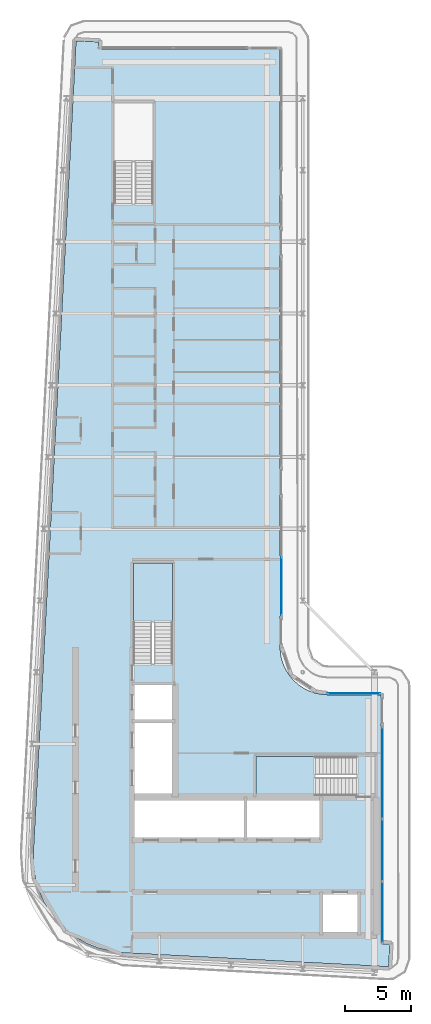
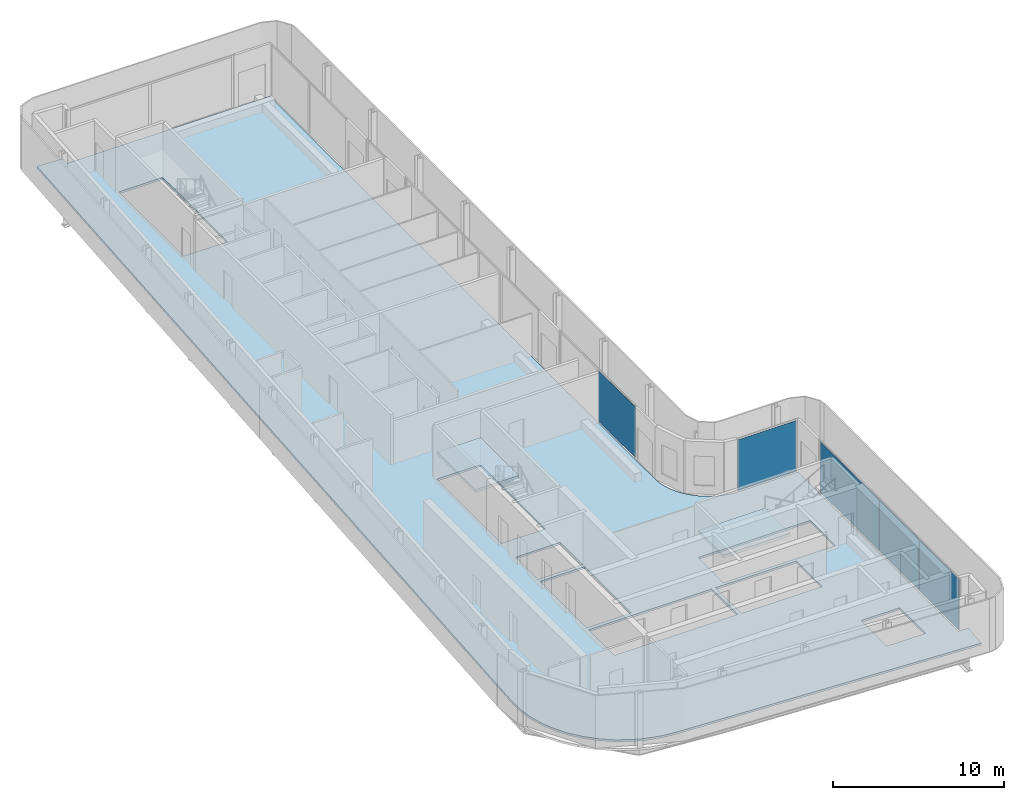
# One storey, part 7 of 19: 5 plates, 3 slabs, 6 elements without a shape of their own.
"""IFC4 building model written with IfcOpenShell, lengths in metres."""

from ifc_helpers import new_model, si_unit, direction, frame, origin, origin_2d, place, context, subcontext, project, spatial, polyline, rectangle, outline, extrude, material, layer, layer_set, type_object, element, aggregate, save


model = new_model("IFC4")

# Units and contexts
model_context = context("Model", 3, precision=1e-05, world=origin(), true_north=direction((0.0, 1.0)))
body_context = subcontext(model_context, "Body", "Model", "MODEL_VIEW")
ifc_project = project(units=[si_unit("LENGTHUNIT", "METRE"), si_unit("AREAUNIT", "SQUARE_METRE"), si_unit("VOLUMEUNIT", "CUBIC_METRE"), si_unit("PLANEANGLEUNIT", "RADIAN"), si_unit("MASSUNIT", "GRAM", prefix="KILO")], contexts=[model_context])

# Site, building, storey
site_placement = place(None, origin())
site = spatial("IfcSite", under=ifc_project, at=site_placement, CompositionType="ELEMENT")
building_placement = place(site_placement, origin())
building = spatial("IfcBuilding", under=site, at=building_placement, Name="Kheshtan School and Residences Tower", CompositionType="ELEMENT")
storey_placement = place(building_placement, frame((0.0, 0.0, 357.800048828125)))
storey = spatial("IfcBuildingStorey", under=building, at=storey_placement, Name="L84", CompositionType="ELEMENT", Elevation=357.800048828125)

# Curtain wall, plate
ifc_material_1 = material(Name="Clear low-e glass in thermally broken aluminium frame", Category="aluminium")
ifc_layer_1 = layer(ifc_material_1, 0.199951171875)
ifc_layer_set_1 = layer_set([ifc_layer_1], Name="Curtain wall CW-B")
curtain_wall_type_1 = type_object("IfcCurtainWallType", Name="Curtain wall CW-B", PredefinedType="NOTDEFINED", material=ifc_layer_set_1)
curtain_wall_1_placement = place(storey_placement, origin())
curtain_wall_1 = element("IfcCurtainWall", 1, at=curtain_wall_1_placement, inside=storey, type_object=curtain_wall_type_1, Name="Curtain wall CWB8", PredefinedType="NOTDEFINED")
ifc_layer_2 = layer(ifc_material_1, 0.031982421875)
ifc_layer_set_2 = layer_set([ifc_layer_2], Name="CW-B glass panel")
plate_type_1 = type_object("IfcPlateType", Name="CW-B glass panel", PredefinedType="CURTAIN_PANEL", material=ifc_layer_set_2)
plate_1_placement = place(storey_placement, frame((51.465087890625, 44.0, 0.0), z_axis=(0.0, 0.0, 1.0), x_axis=(1.0, 0.0, 0.0)))
plate_1 = element("IfcPlate", 2, at=plate_1_placement, type_object=plate_type_1, Name="CWB8 panel 1.1", PredefinedType="CURTAIN_PANEL", context=body_context, shape_type="SweptSolid", body=[
    extrude(rectangle(XDim=3.949951171875, YDim=0.031982421875, at=origin_2d()), origin(), (0.0, 0.0, 1.0), 3.6298828125),
])
aggregate(curtain_wall_1, [plate_1])

ifc_layer_3 = layer(ifc_material_1, 0.199951171875)
ifc_layer_set_3 = layer_set([ifc_layer_3], Name="Curtain wall CW-L")
curtain_wall_type_2 = type_object("IfcCurtainWallType", Name="Curtain wall CW-L", PredefinedType="NOTDEFINED", material=ifc_layer_set_3)
curtain_wall_2_placement = place(storey_placement, origin())
curtain_wall_2 = element("IfcCurtainWall", 3, at=curtain_wall_2_placement, inside=storey, type_object=curtain_wall_type_2, Name="Curtain wall CWL4b", PredefinedType="NOTDEFINED")
ifc_layer_4 = layer(ifc_material_1, 0.031982421875)
ifc_layer_set_4 = layer_set([ifc_layer_4], Name="CW-L glass panel")
plate_type_2 = type_object("IfcPlateType", Name="CW-L glass panel", PredefinedType="CURTAIN_PANEL", material=ifc_layer_set_4)
plate_2_placement = place(storey_placement, frame((46.0, 52.061767578125, 0.0), z_axis=(0.0, 0.0, 1.0), x_axis=(0.0, -1.0, 0.0)))
plate_2 = element("IfcPlate", 4, at=plate_2_placement, type_object=plate_type_2, Name="CWL4b panel 2.1", PredefinedType="CURTAIN_PANEL", context=body_context, shape_type="SweptSolid", body=[
    extrude(rectangle(XDim=4.34375, YDim=0.031982421875, at=origin_2d()), origin(), (0.0, 0.0, 1.0), 3.6298828125),
])
aggregate(curtain_wall_2, [plate_2])

curtain_wall_3_placement = place(storey_placement, origin())
curtain_wall_3 = element("IfcCurtainWall", 5, at=curtain_wall_3_placement, inside=storey, type_object=curtain_wall_type_2, Name="Curtain wall CWL9e", PredefinedType="NOTDEFINED")
plate_3_placement = place(storey_placement, frame((53.60009765625, 38.013916015625, 0.0), z_axis=(0.0, 0.0, 1.0), x_axis=(0.0, -1.0, 0.0)))
plate_3 = element("IfcPlate", 6, at=plate_3_placement, type_object=plate_type_2, Name="CWL9e panel 1.1", PredefinedType="CURTAIN_PANEL", context=body_context, shape_type="SweptSolid", body=[
    extrude(rectangle(XDim=6.85205078125, YDim=0.031982421875, at=origin_2d()), origin(), (0.0, 0.0, 1.0), 3.6298828125),
])
aggregate(curtain_wall_3, [plate_3])

# Curtain wall, plates
curtain_wall_4_placement = place(storey_placement, origin())
curtain_wall_4 = element("IfcCurtainWall", 7, at=curtain_wall_4_placement, inside=storey, type_object=curtain_wall_type_2, Name="Curtain wall CWL9d", PredefinedType="NOTDEFINED")
plate_4_placement = place(storey_placement, frame((53.60009765625, 32.199951171875, 0.0), z_axis=(0.0, 0.0, 1.0), x_axis=(0.0, -1.0, 0.0)))
plate_4 = element("IfcPlate", 8, at=plate_4_placement, type_object=plate_type_2, Name="CWL9d panel 1.1", PredefinedType="CURTAIN_PANEL", context=body_context, shape_type="SweptSolid", body=[
    extrude(rectangle(XDim=4.656005859375, YDim=0.031982421875, at=origin_2d()), origin(), (0.0, 0.0, 1.0), 3.6298828125),
])
plate_5_placement = place(storey_placement, frame((53.60009765625, 27.513916015625, 0.0), z_axis=(0.0, 0.0, 1.0), x_axis=(0.0, -1.0, 0.0)))
plate_5 = element("IfcPlate", 9, at=plate_5_placement, type_object=plate_type_2, Name="CWL9d panel 2.1", PredefinedType="CURTAIN_PANEL", context=body_context, shape_type="SweptSolid", body=[
    extrude(rectangle(XDim=4.595947265625, YDim=0.031982421875, at=origin_2d()), origin(), (0.0, 0.0, 1.0), 3.6298828125),
])
aggregate(curtain_wall_4, [plate_4, plate_5])

# Slab
ifc_material_2 = material(Name="Concrete C40/50", Category="concrete")
ifc_layer_5 = layer(ifc_material_2, 0.14990234375)
ifc_layer_set_5 = layer_set([ifc_layer_5], Name="Floor slab 150 Concrete C40/50")
slab_type_1 = type_object("IfcSlabType", Name="Floor slab 150 Concrete C40/50", PredefinedType="FLOOR", material=ifc_layer_set_5)
slab_1_placement = place(storey_placement, frame((0.0, 0.0, -0.150146484375)))
element("IfcSlab", 10, at=slab_1_placement, inside=storey, type_object=slab_type_1, Name="Floor slab L84", PredefinedType="FLOOR", context=body_context, shape_type="SweptSolid", body=[
    extrude(outline(polyline([(28.55908203125, 27.550048828125), (28.0849609375, 28.345947265625), (27.718017578125, 29.200927734375), (27.466064453125, 30.093017578125), (27.466064453125, 30.093994140625), (27.3330078125, 31.013916015625), (27.320068359375, 31.965087890625), (27.320068359375, 31.970947265625), (30.5380859375, 93.10107421875), (30.5390625, 93.10791015625), (30.5419921875, 93.131103515625), (30.5419921875, 93.132080078125), (30.54296875, 93.132080078125), (31.137939453125, 93.10009765625), (31.138916015625, 93.10009765625), (31.138916015625, 93.09912109375), (31.138916015625, 93.094970703125), (31.138916015625, 93.093994140625), (31.139892578125, 93.093994140625), (31.139892578125, 93.093017578125), (31.14111328125, 93.093017578125), (31.14208984375, 93.093017578125), (31.14208984375, 93.093994140625), (31.14404296875, 93.095947265625), (31.14501953125, 93.096923828125), (31.14599609375, 93.097900390625), (31.14697265625, 93.097900390625), (31.14697265625, 93.09912109375), (31.14794921875, 93.09912109375), (31.14794921875, 93.10009765625), (31.14892578125, 93.10009765625), (31.152099609375, 93.10205078125), (31.155029296875, 93.10205078125), (31.156005859375, 93.10205078125), (31.156005859375, 93.10302734375), (31.156982421875, 93.10302734375), (31.162109375, 93.10302734375), (32.217041015625, 93.047119140625), (32.219970703125, 93.047119140625), (32.220947265625, 93.047119140625), (32.220947265625, 93.0458984375), (32.221923828125, 93.0458984375), (32.22607421875, 93.0458984375), (32.22607421875, 93.044921875), (32.22705078125, 93.044921875), (32.22705078125, 93.0439453125), (32.22802734375, 93.0439453125), (32.22802734375, 93.04296875), (32.22900390625, 93.04296875), (32.22998046875, 93.04296875), (32.22998046875, 93.0419921875), (32.23095703125, 93.0419921875), (32.23193359375, 93.0419921875), (32.23193359375, 93.041015625), (32.23388671875, 93.0390625), (32.235107421875, 93.0390625), (32.235107421875, 93.0380859375), (32.235107421875, 93.037109375), (32.236083984375, 93.037109375), (32.236083984375, 93.035888671875), (32.237060546875, 93.035888671875), (32.237060546875, 93.033935546875), (32.237060546875, 93.032958984375), (32.238037109375, 93.032958984375), (32.238037109375, 93.031982421875), (32.239013671875, 93.031982421875), (32.239013671875, 93.031005859375), (32.239013671875, 93.029052734375), (32.239013671875, 93.028076171875), (32.239990234375, 93.028076171875), (32.239990234375, 93.027099609375), (32.239990234375, 93.02197265625), (32.212890625, 92.52099609375), (32.212890625, 92.51806640625), (32.212890625, 92.51708984375), (32.2119140625, 92.51708984375), (32.2119140625, 92.51611328125), (32.2119140625, 92.511962890625), (32.2109375, 92.510009765625), (32.2099609375, 92.510009765625), (32.2099609375, 92.509033203125), (32.208984375, 92.509033203125), (32.208984375, 92.508056640625), (32.2080078125, 92.507080078125), (32.2060546875, 92.5048828125), (32.205078125, 92.50390625), (32.2041015625, 92.50390625), (32.2041015625, 92.5029296875), (32.2041015625, 92.501953125), (32.2041015625, 92.5009765625), (32.205078125, 92.5009765625), (32.205078125, 92.5), (32.2060546875, 92.5), (45.85498046875, 92.5), (45.860107421875, 92.4990234375), (45.864990234375, 92.498046875), (45.865966796875, 92.498046875), (45.868896484375, 92.49609375), (45.8740234375, 92.493896484375), (45.8779296875, 92.491943359375), (45.881103515625, 92.489990234375), (45.881103515625, 92.489013671875), (45.882080078125, 92.489013671875), (45.882080078125, 92.488037109375), (45.883056640625, 92.488037109375), (45.884033203125, 92.485107421875), (45.885009765625, 92.485107421875), (45.885009765625, 92.48388671875), (45.887939453125, 92.48291015625), (45.887939453125, 92.48193359375), (45.888916015625, 92.48193359375), (45.888916015625, 92.48095703125), (45.889892578125, 92.48095703125), (45.89208984375, 92.47802734375), (45.89404296875, 92.47412109375), (45.89599609375, 92.468994140625), (45.89794921875, 92.466064453125), (45.89794921875, 92.465087890625), (45.89892578125, 92.4599609375), (45.89990234375, 92.455078125), (45.89990234375, 47.429931640625), (45.927001953125, 47.030029296875), (46.01806640625, 46.570068359375), (46.01806640625, 46.569091796875), (46.169921875, 46.1201171875), (46.37890625, 45.697021484375), (46.638916015625, 45.30810546875), (46.949951171875, 44.950927734375), (46.950927734375, 44.949951171875), (47.30810546875, 44.638916015625), (47.697021484375, 44.37890625), (48.1201171875, 44.169921875), (48.569091796875, 44.01806640625), (48.570068359375, 44.01806640625), (49.030029296875, 43.927001953125), (49.429931640625, 43.89990234375), (53.455078125, 43.89990234375), (53.465087890625, 43.89794921875), (53.466064453125, 43.89794921875), (53.468994140625, 43.89599609375), (53.47412109375, 43.89404296875), (53.47802734375, 43.89208984375), (53.48095703125, 43.889892578125), (53.48095703125, 43.888916015625), (53.48193359375, 43.888916015625), (53.48193359375, 43.887939453125), (53.48291015625, 43.887939453125), (53.48388671875, 43.885009765625), (53.485107421875, 43.885009765625), (53.485107421875, 43.884033203125), (53.488037109375, 43.883056640625), (53.488037109375, 43.882080078125), (53.489013671875, 43.882080078125), (53.489013671875, 43.881103515625), (53.489990234375, 43.881103515625), (53.491943359375, 43.8779296875), (53.493896484375, 43.8740234375), (53.49609375, 43.868896484375), (53.498046875, 43.865966796875), (53.498046875, 43.864990234375), (53.4990234375, 43.860107421875), (53.5, 43.85498046875), (53.5, 25.15087890625), (53.5, 25.14990234375), (53.5009765625, 25.14990234375), (53.5009765625, 25.14892578125), (53.501953125, 25.14892578125), (53.5029296875, 25.14892578125), (53.5029296875, 25.14990234375), (53.506103515625, 25.153076171875), (53.507080078125, 25.154052734375), (53.508056640625, 25.154052734375), (53.508056640625, 25.155029296875), (53.509033203125, 25.155029296875), (53.509033203125, 25.156005859375), (53.512939453125, 25.157958984375), (53.51611328125, 25.157958984375), (53.51708984375, 25.157958984375), (53.51708984375, 25.158935546875), (53.51806640625, 25.158935546875), (53.52294921875, 25.158935546875), (54.137939453125, 25.1259765625), (54.14111328125, 25.1259765625), (54.14208984375, 25.1259765625), (54.14208984375, 25.125), (54.14306640625, 25.125), (54.14697265625, 25.125), (54.14697265625, 25.1240234375), (54.14794921875, 25.1240234375), (54.14794921875, 25.123046875), (54.14892578125, 25.123046875), (54.14892578125, 25.1220703125), (54.14990234375, 25.1220703125), (54.15087890625, 25.1220703125), (54.15087890625, 25.12109375), (54.152099609375, 25.12109375), (54.153076171875, 25.12109375), (54.156005859375, 25.117919921875), (54.156005859375, 25.116943359375), (54.156005859375, 25.115966796875), (54.156982421875, 25.115966796875), (54.156982421875, 25.114990234375), (54.157958984375, 25.114990234375), (54.157958984375, 25.113037109375), (54.157958984375, 25.112060546875), (54.158935546875, 25.112060546875), (54.158935546875, 25.111083984375), (54.159912109375, 25.111083984375), (54.159912109375, 25.110107421875), (54.159912109375, 25.10791015625), (54.159912109375, 25.10693359375), (54.160888671875, 25.10693359375), (54.160888671875, 25.10595703125), (54.160888671875, 25.10107421875), (54.10498046875, 24.0439453125), (54.10498046875, 24.041015625), (54.10498046875, 24.0400390625), (54.10400390625, 24.0400390625), (54.10400390625, 24.0390625), (54.10400390625, 24.034912109375), (54.10302734375, 24.033935546875), (54.10302734375, 24.032958984375), (54.10205078125, 24.032958984375), (54.10205078125, 24.031982421875), (54.10107421875, 24.031982421875), (54.10107421875, 24.031005859375), (54.096923828125, 24.027099609375), (54.095947265625, 24.027099609375), (54.095947265625, 24.02587890625), (54.095947265625, 24.02490234375), (54.095947265625, 24.02392578125), (54.096923828125, 24.02392578125), (54.096923828125, 24.02294921875), (54.097900390625, 24.02294921875), (54.09912109375, 24.02294921875), (54.10009765625, 24.02294921875), (54.10009765625, 24.02197265625), (54.068115234375, 23.427001953125), (54.068115234375, 23.426025390625), (54.06689453125, 23.426025390625), (54.04296875, 23.425048828125), (54.0380859375, 23.425048828125), (34.056884765625, 24.47802734375), (33.114990234375, 24.590087890625), (32.215087890625, 24.819091796875), (32.214111328125, 24.819091796875), (31.35205078125, 25.1630859375), (30.541015625, 25.616943359375), (29.799072265625, 26.1708984375), (29.799072265625, 26.172119140625), (29.798095703125, 26.172119140625), (29.134033203125, 26.820068359375), (29.134033203125, 26.821044921875), (29.133056640625, 26.821044921875), (28.55908203125, 27.550048828125)]), holes=[polyline([(53.5009765625, 24.030029296875), (53.5, 24.030029296875), (53.5, 24.029052734375), (53.5, 24.02490234375), (53.5, 24.02392578125), (53.5009765625, 24.02392578125), (53.5009765625, 24.02294921875), (53.501953125, 24.02294921875), (53.506103515625, 24.02294921875), (53.507080078125, 24.02294921875), (53.507080078125, 24.02392578125), (53.508056640625, 24.02392578125), (53.508056640625, 24.02490234375), (53.508056640625, 24.02587890625), (53.507080078125, 24.02587890625), (53.50390625, 24.029052734375), (53.5029296875, 24.030029296875), (53.5029296875, 24.031005859375), (53.501953125, 24.031005859375), (53.5009765625, 24.031005859375), (53.5009765625, 24.030029296875)]), polyline([(31.139892578125, 92.507080078125), (31.138916015625, 92.507080078125), (31.138916015625, 92.506103515625), (31.138916015625, 92.501953125), (31.138916015625, 92.5009765625), (31.139892578125, 92.5009765625), (31.139892578125, 92.5), (31.14111328125, 92.5), (31.14501953125, 92.5), (31.14599609375, 92.5), (31.14599609375, 92.5009765625), (31.14697265625, 92.5009765625), (31.14697265625, 92.501953125), (31.14697265625, 92.5029296875), (31.14599609375, 92.5029296875), (31.14501953125, 92.50390625), (31.14404296875, 92.5048828125), (31.14306640625, 92.506103515625), (31.14208984375, 92.507080078125), (31.14208984375, 92.508056640625), (31.14111328125, 92.508056640625), (31.139892578125, 92.508056640625), (31.139892578125, 92.507080078125)]), polyline([(51.72509765625, 28.925048828125), (49.125, 28.925048828125), (49.125, 25.925048828125), (51.72509765625, 25.925048828125), (51.72509765625, 28.925048828125)]), polyline([(43.175048828125, 33.074951171875), (43.175048828125, 36.074951171875), (34.875, 36.074951171875), (34.875, 33.074951171875), (43.175048828125, 33.074951171875)]), polyline([(43.425048828125, 36.074951171875), (43.425048828125, 33.074951171875), (48.875, 33.074951171875), (48.875, 36.074951171875), (43.425048828125, 36.074951171875)]), polyline([(51.64990234375, 37.699951171875), (51.64990234375, 39.25), (44.090087890625, 39.25), (44.090087890625, 36.300048828125), (51.639892578125, 36.300048828125), (51.639892578125, 37.699951171875), (51.64990234375, 37.699951171875)]), polyline([(37.875, 41.77490234375), (34.875, 41.77490234375), (34.875, 36.324951171875), (37.875, 36.324951171875), (37.875, 41.77490234375)]), polyline([(37.875, 44.625), (34.875, 44.625), (34.875, 42.02490234375), (37.875, 42.02490234375), (37.875, 44.625)]), polyline([(37.800048828125, 53.81005859375), (34.85009765625, 53.81005859375), (34.85009765625, 46.260009765625), (36.25, 46.260009765625), (36.25, 46.25), (37.800048828125, 46.25), (37.800048828125, 53.81005859375)]), polyline([(36.35009765625, 88.4599609375), (33.39990234375, 88.4599609375), (33.39990234375, 80.909912109375), (34.800048828125, 80.909912109375), (34.800048828125, 80.89990234375), (36.35009765625, 80.89990234375), (36.35009765625, 88.4599609375)])]), origin(), (0.0, 0.0, 1.0), 0.150146484375),
])

# Stair, slab
stair_type = type_object("IfcStairType", Name="Exit stair, half-turn", PredefinedType="HALF_TURN_STAIR", material=ifc_material_2)
stair_1_placement = place(storey_placement, origin())
stair_1 = element("IfcStair", 11, at=stair_1_placement, inside=storey, type_object=stair_type, Name="L84 Protected Exit Stair ST1", PredefinedType="HALF_TURN_STAIR")
ifc_layer_6 = layer(ifc_material_2, 0.199951171875)
ifc_layer_set_6 = layer_set([ifc_layer_6], Name="Stair landing 200 Concrete C40/50")
slab_type_2 = type_object("IfcSlabType", Name="Stair landing 200 Concrete C40/50", PredefinedType="LANDING", material=ifc_layer_set_6)
slab_2_placement = place(storey_placement, frame((0.0, 0.0, 1.75)))
slab_2 = element("IfcSlab", 12, at=slab_2_placement, type_object=slab_type_2, Name="ST1 landing 1", PredefinedType="LANDING", context=body_context, shape_type="SweptSolid", body=[
    extrude(outline(polyline([(48.570068359375, 39.25), (44.090087890625, 39.25), (44.090087890625, 36.300048828125), (48.570068359375, 36.300048828125), (48.570068359375, 39.25)])), origin(), (0.0, 0.0, 1.0), 0.199951171875),
])
aggregate(stair_1, [slab_2])

stair_2_placement = place(storey_placement, origin())
stair_2 = element("IfcStair", 13, at=stair_2_placement, inside=storey, type_object=stair_type, Name="L84 Protected Exit Stair ST2", PredefinedType="HALF_TURN_STAIR")
slab_3_placement = place(storey_placement, frame((0.0, 0.0, 1.75)))
slab_3 = element("IfcSlab", 14, at=slab_3_placement, type_object=slab_type_2, Name="ST2 landing 1", PredefinedType="LANDING", context=body_context, shape_type="SweptSolid", body=[
    extrude(outline(polyline([(37.800048828125, 49.330078125), (37.800048828125, 53.81005859375), (34.85009765625, 53.81005859375), (34.85009765625, 49.330078125), (37.800048828125, 49.330078125)])), origin(), (0.0, 0.0, 1.0), 0.199951171875),
])
aggregate(stair_2, [slab_3])

save(model, "model.ifc")
